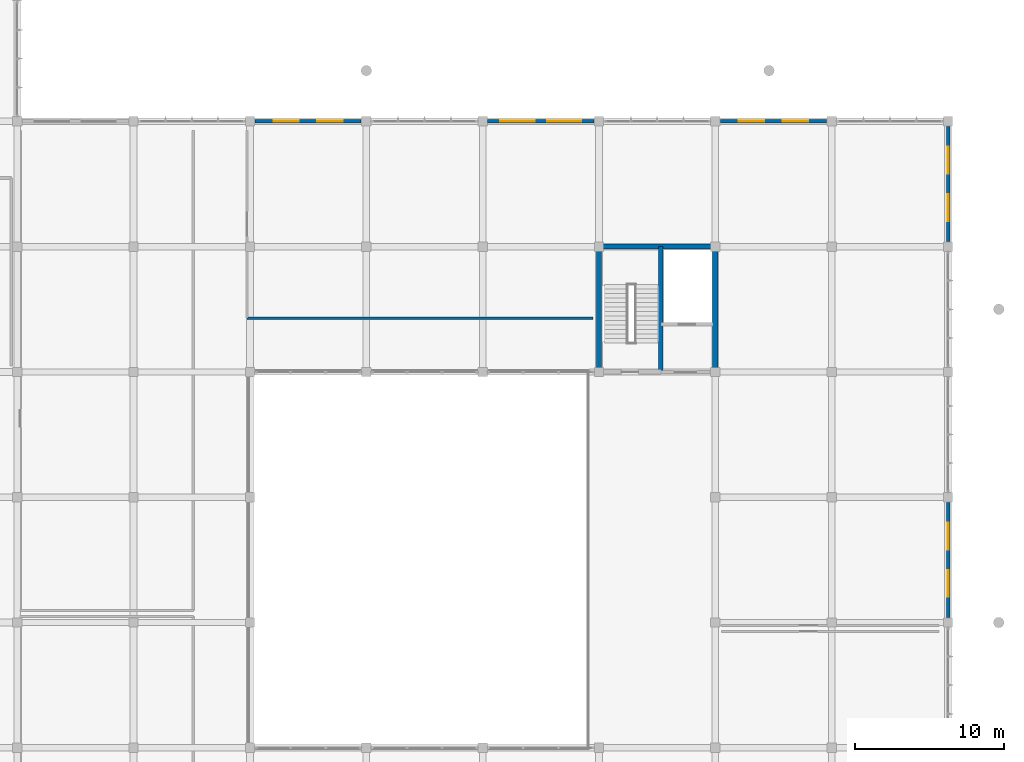
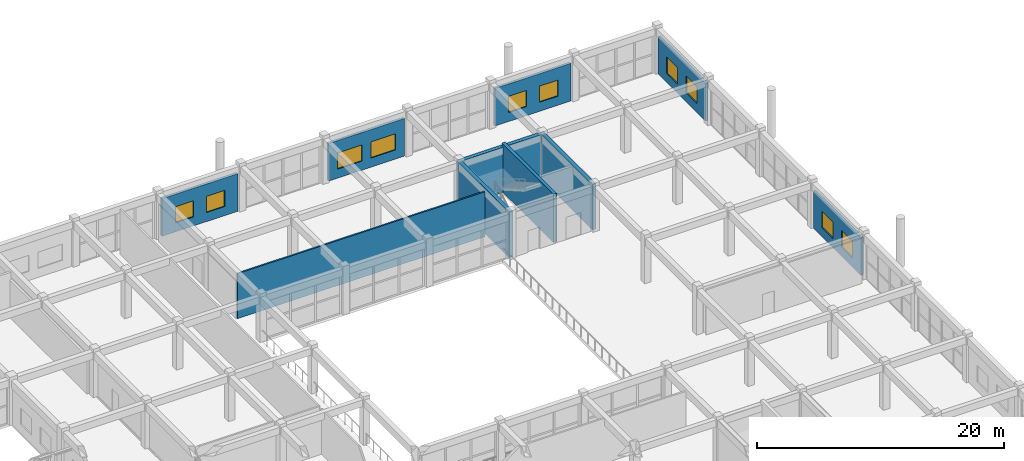
# One storey, part 158 of 167: 10 walls, 10 windows, 10 openings.
"""IFC4 building model written with IfcOpenShell, lengths in metres."""

import ifcopenshell
import ifcopenshell.guid

model = None  # the IFC model being written
_history = None  # IfcOwnerHistory: only IFC2X3 demands one
_inside = {}  # id of a spatial element -> (the spatial element, [elements in it])
_under = {}  # id of a project, library or spatial element -> (it, [spatial elements below it])
_declared = {}  # id of a project -> (the project, [libraries it declares])
_typed = {}  # id of a type object -> (the type object, [elements of that type])
_made_of = {}  # id of a material, layer set ... -> (it, [elements and type objects made of it])


def new_model(schema):
    """Start an empty IFC model of exactly this schema.

    Asked for "IFC4X3", IfcOpenShell would pick the latest addendum, in which some entities
    have other attributes; the version numbers below select the first issue.
    IFC2X3 requires an IfcOwnerHistory on every rooted entity: one is made here for all.
    """
    global model, _history
    if schema == "IFC4X3":
        model = ifcopenshell.file(schema_version=(4, 3, 0, 0))
    else:
        model = ifcopenshell.file(schema=schema)
    _inside.clear()
    _under.clear()
    _declared.clear()
    _typed.clear()
    _made_of.clear()
    _history = None
    if model.schema == "IFC2X3":
        org = make("IfcOrganization", Name="unknown")
        user = make(
            "IfcPersonAndOrganization",
            ThePerson=make("IfcPerson", FamilyName="unknown"),
            TheOrganization=org,
        )
        app = make(
            "IfcApplication",
            ApplicationDeveloper=org,
            Version="unknown",
            ApplicationFullName="unknown",
            ApplicationIdentifier="unknown",
        )
        _history = make(
            "IfcOwnerHistory",
            OwningUser=user,
            OwningApplication=app,
            ChangeAction="ADDED",
            CreationDate=0,
        )
    return model


def make(cls, **values):
    """One entity of the class cls with the attributes given. An attribute that is None is left unset."""
    return model.create_entity(
        cls, **{name: value for name, value in values.items() if value is not None}
    )


def rooted(cls, **values):
    """An entity with a GlobalId (a new one), such as an element, a storey or a relation."""
    return make(cls, GlobalId=ifcopenshell.guid.new(), OwnerHistory=_history, **values)


def si_unit(unit_type, name, prefix=None):
    """IfcSIUnit, for example si_unit("LENGTHUNIT", "METRE", prefix="MILLI")."""
    return make("IfcSIUnit", UnitType=unit_type, Prefix=prefix, Name=name)


def assignment(units):
    """IfcUnitAssignment: the units of a project."""
    return None if units is None else make("IfcUnitAssignment", Units=units)


def point(xyz):
    """IfcCartesianPoint."""
    return None if xyz is None else make("IfcCartesianPoint", Coordinates=xyz)


def direction(xyz):
    """IfcDirection."""
    return None if xyz is None else make("IfcDirection", DirectionRatios=xyz)


def frame(location, z_axis=None, x_axis=None):
    """IfcAxis2Placement3D, a coordinate frame: its origin and axes. An axis left out is left unset."""
    return make(
        "IfcAxis2Placement3D",
        Location=point(location),
        Axis=direction(z_axis),
        RefDirection=direction(x_axis),
    )


def frame_2d(location, x_axis=None):
    """IfcAxis2Placement2D, a coordinate frame in the plane: its origin and x axis."""
    return make(
        "IfcAxis2Placement2D", Location=point(location), RefDirection=direction(x_axis)
    )


def origin():
    """The frame at (0, 0, 0) with its axes left unset."""
    return frame((0.0, 0.0, 0.0))


def place(relative_to, where):
    """IfcLocalPlacement: puts the frame where relative to a parent placement (None: the world)."""
    return make(
        "IfcLocalPlacement", PlacementRelTo=relative_to, RelativePlacement=where
    )


def context(
    kind, dimensions, precision=None, world=None, true_north=None, identifier=None
):
    """IfcGeometricRepresentationContext, for example the 3D "Model" context."""
    return make(
        "IfcGeometricRepresentationContext",
        ContextIdentifier=identifier,
        ContextType=kind,
        CoordinateSpaceDimension=dimensions,
        Precision=precision,
        WorldCoordinateSystem=world,
        TrueNorth=true_north,
    )


def subcontext(parent, identifier, kind, view, scale=None):
    """IfcGeometricRepresentationSubContext, for example "Body" below "Model"."""
    return make(
        "IfcGeometricRepresentationSubContext",
        ContextIdentifier=identifier,
        ContextType=kind,
        ParentContext=parent,
        TargetScale=scale,
        TargetView=view,
    )


def project(units=None, contexts=None):
    """IfcProject with its units and contexts."""
    return rooted(
        "IfcProject",
        Name="project",
        RepresentationContexts=contexts,
        UnitsInContext=assignment(units),
    )


def spatial(cls, under=None, at=None, **own):
    """A site, building, storey or space (cls), placed at a placement, below another one or the project."""
    s = rooted(cls, ObjectPlacement=at, **own)
    if under is not None:
        _under.setdefault(under.id(), (under, []))[1].append(s)
    return s


def profile(cls, at=None, kind="AREA", **sizes):
    """A parametric profile (cls). Its sizes go by their IFC names, for example OverallWidth=200.0."""
    return make(cls, ProfileType=kind, Position=at, **sizes)


def rectangle(**sizes):
    """IfcRectangleProfileDef."""
    return profile("IfcRectangleProfileDef", **sizes)


def extrude(swept, where, along, depth):
    """IfcExtrudedAreaSolid: the profile swept, set in the frame where, extruded along a direction by depth."""
    return make(
        "IfcExtrudedAreaSolid",
        SweptArea=swept,
        Position=where,
        ExtrudedDirection=direction(along),
        Depth=depth,
    )


def shape(context_of_items, identifier, shape_type, items):
    """IfcShapeRepresentation: the items that make up one representation, for example the "Body"."""
    return make(
        "IfcShapeRepresentation",
        ContextOfItems=context_of_items,
        RepresentationIdentifier=identifier,
        RepresentationType=shape_type,
        Items=items,
    )


def material(Name=None, Category=None):
    """IfcMaterial."""
    return make("IfcMaterial", Name=Name, Category=Category)


def layer(
    of_material, thickness, ventilated=None, Name=None, Category=None, Priority=None
):
    """IfcMaterialLayer: one layer of a wall or slab, of a material (None: an air gap)."""
    return make(
        "IfcMaterialLayer",
        Material=of_material,
        LayerThickness=thickness,
        IsVentilated=ventilated,
        Name=Name,
        Category=Category,
        Priority=Priority,
    )


def layer_set(layers, Name=None):
    """IfcMaterialLayerSet."""
    return make("IfcMaterialLayerSet", MaterialLayers=layers, LayerSetName=Name)


def made_of(thing, what):
    """Note that an element or type object is made of a material, layer set ...; save() writes the relation."""
    if what is not None:
        _made_of.setdefault(what.id(), (what, []))[1].append(thing)
    return thing


def type_object(cls, material=None, **own):
    """A type object (cls), such as IfcWallType, which elements share."""
    return made_of(rooted(cls, **own), material)


def element(
    cls,
    number,
    at=None,
    inside=None,
    cuts=None,
    type_object=None,
    material=None,
    context=None,
    identifier="Body",
    shape_type=None,
    held_by="IfcProductDefinitionShape",
    body=None,
    shapes=None,
    **own,
):
    """One element of the class cls, such as IfcWall. Its Tag is "e" and its number.

    at: its placement. inside: the storey or other place that contains it. cuts: it is an
    opening in that element (IfcRelVoidsElement). A single representation is given by context,
    identifier, shape_type and body (its items); several are given by shapes. held_by: the class
    of the entity that holds the representations. save() writes the other relations.
    """
    e = rooted(cls, Tag="e%d" % number, ObjectPlacement=at, **own)
    if body is not None:
        shapes = [shape(context, identifier, shape_type, body)]
    if shapes is not None:
        e.Representation = make(held_by, Representations=shapes)
    if inside is not None:
        _inside.setdefault(inside.id(), (inside, []))[1].append(e)
    if cuts is not None:
        rooted(
            "IfcRelVoidsElement", RelatingBuildingElement=cuts, RelatedOpeningElement=e
        )
    if type_object is not None:
        _typed.setdefault(type_object.id(), (type_object, []))[1].append(e)
    return made_of(e, material)


def fill(opening, filler):
    """IfcRelFillsElement: the door or window that sits in an opening."""
    return rooted(
        "IfcRelFillsElement",
        RelatingOpeningElement=opening,
        RelatedBuildingElement=filler,
    )


def aggregate(whole, parts):
    """IfcRelAggregates: a whole, such as a stair, and the parts it consists of."""
    return rooted("IfcRelAggregates", RelatingObject=whole, RelatedObjects=parts)


def save(model, path):
    """Write the relations noted so far, then the file.

    IfcRelAggregates (storeys below a building ...), IfcRelContainedInSpatialStructure (elements
    in a storey), IfcRelDefinesByType, IfcRelAssociatesMaterial and IfcRelDeclares: one each for
    every whole, place, type object, material and project.
    """
    for whole, parts in _under.values():
        aggregate(whole, parts)
    for where, things in _inside.values():
        rooted(
            "IfcRelContainedInSpatialStructure",
            RelatedElements=things,
            RelatingStructure=where,
        )
    for kind, things in _typed.values():
        rooted("IfcRelDefinesByType", RelatedObjects=things, RelatingType=kind)
    for what, things in _made_of.values():
        rooted("IfcRelAssociatesMaterial", RelatedObjects=things, RelatingMaterial=what)
    for by, libraries in _declared.values():
        rooted("IfcRelDeclares", RelatingContext=by, RelatedDefinitions=libraries)
    model.write(path)


model = new_model("IFC4")

# Units and contexts
model_context = context("Model", 3, precision=1e-05, world=origin(), true_north=direction((0.0, 1.0)))
body_context = subcontext(model_context, "Body", "Model", "MODEL_VIEW")
ifc_project = project(units=[si_unit("LENGTHUNIT", "METRE"), si_unit("AREAUNIT", "SQUARE_METRE"), si_unit("VOLUMEUNIT", "CUBIC_METRE"), si_unit("PLANEANGLEUNIT", "RADIAN"), si_unit("MASSUNIT", "GRAM", prefix="KILO")], contexts=[model_context])

# Site, building, storey
site_placement = place(None, origin())
site = spatial("IfcSite", under=ifc_project, at=site_placement, CompositionType="ELEMENT")
building_placement = place(site_placement, origin())
building = spatial("IfcBuilding", under=site, at=building_placement, Name="Zizhar Promenade General Hospital", CompositionType="ELEMENT")
storey_placement = place(building_placement, frame((0.0, 0.0, 9.60009765625)))
storey = spatial("IfcBuildingStorey", under=building, at=storey_placement, Name="L02", CompositionType="ELEMENT", Elevation=9.60009765625)

# Wall, openings, windows
ifc_material_1 = material(Name="Precast concrete C40/50", Category="concrete")
ifc_layer_1 = layer(ifc_material_1, 0.235107421875)
ifc_layer_set_1 = layer_set([ifc_layer_1], Name="Precast concrete C40/50")
wall_type_1 = type_object("IfcWallType", Name="EW-CLN-235", PredefinedType="STANDARD", material=ifc_layer_set_1)
wall_1_placement = place(storey_placement, frame((148.5400390625, 109.199951171875, 0.0), z_axis=(0.0, 0.0, 1.0), x_axis=(1.0, 0.0, 0.0)))
wall_1 = element("IfcWall", 1, at=wall_1_placement, inside=storey, type_object=wall_type_1, Name="Outpatient North Wall L02-19", PredefinedType="STANDARD", context=body_context, shape_type="SweptSolid", body=[
    extrude(rectangle(XDim=7.119873046875, YDim=0.235107421875, at=frame_2d((3.56005859375, 0.0))), origin(), (0.0, 0.0, 1.0), 3.72998046875),
])
opening_1_placement = place(wall_1_placement, frame((1.239990234375, 0.0, 0.89990234375)))
opening_1 = element("IfcOpeningElement", 2, at=opening_1_placement, cuts=wall_1, Name="Opening W-22", PredefinedType="OPENING", context=body_context, shape_type="SweptSolid", body=[
    extrude(rectangle(XDim=1.699951171875, YDim=1.60009765625, at=frame_2d((0.85009765625, 0.800048828125))), frame((0.0, 0.12744140625, 0.0), z_axis=(0.0, -1.0, 0.0), x_axis=(1.0, 0.0, 0.0)), (0.0, 0.0, 1.0), 0.255126953125),
])
opening_2_placement = place(wall_1_placement, frame((4.179931640625, 0.0, 0.89990234375)))
opening_2 = element("IfcOpeningElement", 3, at=opening_2_placement, cuts=wall_1, Name="Opening W-22", PredefinedType="OPENING", context=body_context, shape_type="SweptSolid", body=[
    extrude(rectangle(XDim=1.699951171875, YDim=1.60009765625, at=frame_2d((0.85009765625, 0.800048828125))), frame((0.0, 0.12744140625, 0.0), z_axis=(0.0, -1.0, 0.0), x_axis=(1.0, 0.0, 0.0)), (0.0, 0.0, 1.0), 0.255126953125),
])
ifc_material_2 = material(Name="Anodised aluminium 6063-T6 and low-E glass", Category="aluminium")
window_type_1 = type_object("IfcWindowType", Name="WIN-CLN-170x160", PartitioningType="SINGLE_PANEL", PredefinedType="WINDOW", material=ifc_material_2)
window_1_placement = place(opening_1_placement, origin())
window_1 = element("IfcWindow", 4, at=window_1_placement, inside=storey, type_object=window_type_1, Name="Outpatient North Wall L02-19 Window 1", OverallHeight=1.60009765625, OverallWidth=1.699951171875, PartitioningType="SINGLE_PANEL", PredefinedType="WINDOW", context=body_context, shape_type="SweptSolid", body=[
    extrude(rectangle(XDim=1.699951171875, YDim=1.60009765625, at=frame_2d((0.85009765625, 0.800048828125))), frame((0.0, 0.030029296875, 0.0), z_axis=(0.0, -1.0, 0.0), x_axis=(1.0, 0.0, 0.0)), (0.0, 0.0, 1.0), 0.06005859375),
])
fill(opening_1, window_1)
window_2_placement = place(opening_2_placement, origin())
window_2 = element("IfcWindow", 5, at=window_2_placement, inside=storey, type_object=window_type_1, Name="Outpatient North Wall L02-19 Window 2", OverallHeight=1.60009765625, OverallWidth=1.699951171875, PartitioningType="SINGLE_PANEL", PredefinedType="WINDOW", context=body_context, shape_type="SweptSolid", body=[
    extrude(rectangle(XDim=1.699951171875, YDim=1.60009765625, at=frame_2d((0.85009765625, 0.800048828125))), frame((0.0, 0.030029296875, 0.0), z_axis=(0.0, -1.0, 0.0), x_axis=(1.0, 0.0, 0.0)), (0.0, 0.0, 1.0), 0.06005859375),
])
fill(opening_2, window_2)

wall_2_placement = place(storey_placement, frame((164.139892578125, 109.199951171875, 0.0), z_axis=(0.0, 0.0, 1.0), x_axis=(1.0, 0.0, 0.0)))
wall_2 = element("IfcWall", 6, at=wall_2_placement, inside=storey, type_object=wall_type_1, Name="Outpatient North Wall L02-21", PredefinedType="STANDARD", context=body_context, shape_type="SweptSolid", body=[
    extrude(rectangle(XDim=7.1201171875, YDim=0.235107421875, at=frame_2d((3.56005859375, 0.0))), origin(), (0.0, 0.0, 1.0), 3.72998046875),
])
opening_3_placement = place(wall_2_placement, frame((0.840087890625, 0.0, 0.89990234375)))
opening_3 = element("IfcOpeningElement", 7, at=opening_3_placement, cuts=wall_2, Name="Opening W-20", PredefinedType="OPENING", context=body_context, shape_type="SweptSolid", body=[
    extrude(rectangle(XDim=2.300048828125, YDim=1.60009765625, at=frame_2d((1.14990234375, 0.800048828125))), frame((0.0, 0.12744140625, 0.0), z_axis=(0.0, -1.0, 0.0), x_axis=(1.0, 0.0, 0.0)), (0.0, 0.0, 1.0), 0.255126953125),
])
opening_4_placement = place(wall_2_placement, frame((3.97998046875, 0.0, 0.89990234375)))
opening_4 = element("IfcOpeningElement", 8, at=opening_4_placement, cuts=wall_2, Name="Opening W-20", PredefinedType="OPENING", context=body_context, shape_type="SweptSolid", body=[
    extrude(rectangle(XDim=2.300048828125, YDim=1.60009765625, at=frame_2d((1.14990234375, 0.800048828125))), frame((0.0, 0.12744140625, 0.0), z_axis=(0.0, -1.0, 0.0), x_axis=(1.0, 0.0, 0.0)), (0.0, 0.0, 1.0), 0.255126953125),
])
ifc_material_3 = material(Name="Anodised aluminium 6063-T6 and low-E glass", Category="aluminium")
window_type_2 = type_object("IfcWindowType", Name="WIN-CLN-230x160", PartitioningType="DOUBLE_PANEL_VERTICAL", PredefinedType="WINDOW", material=ifc_material_3)
window_3_placement = place(opening_3_placement, origin())
window_3 = element("IfcWindow", 9, at=window_3_placement, inside=storey, type_object=window_type_2, Name="Outpatient North Wall L02-21 Window 1", OverallHeight=1.60009765625, OverallWidth=2.300048828125, PartitioningType="SINGLE_PANEL", PredefinedType="WINDOW", context=body_context, shape_type="SweptSolid", body=[
    extrude(rectangle(XDim=2.300048828125, YDim=1.60009765625, at=frame_2d((1.14990234375, 0.800048828125))), frame((0.0, 0.030029296875, 0.0), z_axis=(0.0, -1.0, 0.0), x_axis=(1.0, 0.0, 0.0)), (0.0, 0.0, 1.0), 0.06005859375),
])
fill(opening_3, window_3)
window_4_placement = place(opening_4_placement, origin())
window_4 = element("IfcWindow", 10, at=window_4_placement, inside=storey, type_object=window_type_2, Name="Outpatient North Wall L02-21 Window 2", OverallHeight=1.60009765625, OverallWidth=2.300048828125, PartitioningType="SINGLE_PANEL", PredefinedType="WINDOW", context=body_context, shape_type="SweptSolid", body=[
    extrude(rectangle(XDim=2.300048828125, YDim=1.60009765625, at=frame_2d((1.14990234375, 0.800048828125))), frame((0.0, 0.030029296875, 0.0), z_axis=(0.0, -1.0, 0.0), x_axis=(1.0, 0.0, 0.0)), (0.0, 0.0, 1.0), 0.06005859375),
])
fill(opening_4, window_4)

wall_3_placement = place(storey_placement, frame((179.739990234375, 109.199951171875, 0.0), z_axis=(0.0, 0.0, 1.0), x_axis=(1.0, 0.0, 0.0)))
wall_3 = element("IfcWall", 11, at=wall_3_placement, inside=storey, type_object=wall_type_1, Name="Outpatient North Wall L02-23", PredefinedType="STANDARD", context=body_context, shape_type="SweptSolid", body=[
    extrude(rectangle(XDim=7.1201171875, YDim=0.235107421875, at=frame_2d((3.56005859375, 0.0))), origin(), (0.0, 0.0, 1.0), 3.72998046875),
])
opening_5_placement = place(wall_3_placement, frame((1.239990234375, 0.0, 0.89990234375)))
opening_5 = element("IfcOpeningElement", 12, at=opening_5_placement, cuts=wall_3, Name="Opening W-22", PredefinedType="OPENING", context=body_context, shape_type="SweptSolid", body=[
    extrude(rectangle(XDim=1.699951171875, YDim=1.60009765625, at=frame_2d((0.85009765625, 0.800048828125))), frame((0.0, 0.12744140625, 0.0), z_axis=(0.0, -1.0, 0.0), x_axis=(1.0, 0.0, 0.0)), (0.0, 0.0, 1.0), 0.255126953125),
])
opening_6_placement = place(wall_3_placement, frame((4.179931640625, 0.0, 0.89990234375)))
opening_6 = element("IfcOpeningElement", 13, at=opening_6_placement, cuts=wall_3, Name="Opening W-22", PredefinedType="OPENING", context=body_context, shape_type="SweptSolid", body=[
    extrude(rectangle(XDim=1.699951171875, YDim=1.60009765625, at=frame_2d((0.85009765625, 0.800048828125))), frame((0.0, 0.12744140625, 0.0), z_axis=(0.0, -1.0, 0.0), x_axis=(1.0, 0.0, 0.0)), (0.0, 0.0, 1.0), 0.255126953125),
])
window_5_placement = place(opening_5_placement, origin())
window_5 = element("IfcWindow", 14, at=window_5_placement, inside=storey, type_object=window_type_1, Name="Outpatient North Wall L02-23 Window 1", OverallHeight=1.60009765625, OverallWidth=1.699951171875, PartitioningType="SINGLE_PANEL", PredefinedType="WINDOW", context=body_context, shape_type="SweptSolid", body=[
    extrude(rectangle(XDim=1.699951171875, YDim=1.60009765625, at=frame_2d((0.85009765625, 0.800048828125))), frame((0.0, 0.030029296875, 0.0), z_axis=(0.0, -1.0, 0.0), x_axis=(1.0, 0.0, 0.0)), (0.0, 0.0, 1.0), 0.06005859375),
])
fill(opening_5, window_5)
window_6_placement = place(opening_6_placement, origin())
window_6 = element("IfcWindow", 15, at=window_6_placement, inside=storey, type_object=window_type_1, Name="Outpatient North Wall L02-23 Window 2", OverallHeight=1.60009765625, OverallWidth=1.699951171875, PartitioningType="SINGLE_PANEL", PredefinedType="WINDOW", context=body_context, shape_type="SweptSolid", body=[
    extrude(rectangle(XDim=1.699951171875, YDim=1.60009765625, at=frame_2d((0.85009765625, 0.800048828125))), frame((0.0, 0.030029296875, 0.0), z_axis=(0.0, -1.0, 0.0), x_axis=(1.0, 0.0, 0.0)), (0.0, 0.0, 1.0), 0.06005859375),
])
fill(opening_6, window_6)

wall_4_placement = place(storey_placement, frame((195.0, 83.659912109375, 0.0), z_axis=(0.0, 0.0, 1.0), x_axis=(0.0, -1.0, 0.0)))
wall_4 = element("IfcWall", 16, at=wall_4_placement, inside=storey, type_object=wall_type_1, Name="Outpatient East Wall L02-9", PredefinedType="STANDARD", context=body_context, shape_type="SweptSolid", body=[
    extrude(rectangle(XDim=7.719970703125, YDim=0.235107421875, at=frame_2d((3.85986328125, 0.0))), origin(), (0.0, 0.0, 1.0), 3.71484375),
])
opening_7_placement = place(wall_4_placement, frame((1.373291015625, 0.0, 0.89990234375)))
opening_7 = element("IfcOpeningElement", 17, at=opening_7_placement, cuts=wall_4, Name="Opening W-08", PredefinedType="OPENING", context=body_context, shape_type="SweptSolid", body=[
    extrude(rectangle(XDim=1.800048828125, YDim=1.64990234375, at=frame_2d((0.89990234375, 0.824951171875))), frame((0.0, 0.12744140625, 0.0), z_axis=(0.0, -1.0, 0.0), x_axis=(1.0, 0.0, 0.0)), (0.0, 0.0, 1.0), 0.255126953125),
])
opening_8_placement = place(wall_4_placement, frame((4.546630859375, 0.0, 0.89990234375)))
opening_8 = element("IfcOpeningElement", 18, at=opening_8_placement, cuts=wall_4, Name="Opening W-08", PredefinedType="OPENING", context=body_context, shape_type="SweptSolid", body=[
    extrude(rectangle(XDim=1.800048828125, YDim=1.64990234375, at=frame_2d((0.89990234375, 0.824951171875))), frame((0.0, 0.12744140625, 0.0), z_axis=(0.0, -1.0, 0.0), x_axis=(1.0, 0.0, 0.0)), (0.0, 0.0, 1.0), 0.255126953125),
])
ifc_material_4 = material(Name="Anodised aluminium 6063-T6 and low-E glass", Category="aluminium")
window_type_3 = type_object("IfcWindowType", Name="WIN-CLN-180x165", PartitioningType="DOUBLE_PANEL_VERTICAL", PredefinedType="WINDOW", material=ifc_material_4)
window_7_placement = place(opening_7_placement, origin())
window_7 = element("IfcWindow", 19, at=window_7_placement, inside=storey, type_object=window_type_3, Name="Outpatient East Wall L02-9 Window 1", OverallHeight=1.64990234375, OverallWidth=1.800048828125, PartitioningType="SINGLE_PANEL", PredefinedType="WINDOW", context=body_context, shape_type="SweptSolid", body=[
    extrude(rectangle(XDim=1.800048828125, YDim=1.64990234375, at=frame_2d((0.89990234375, 0.824951171875))), frame((0.0, 0.030029296875, 0.0), z_axis=(0.0, -1.0, 0.0), x_axis=(1.0, 0.0, 0.0)), (0.0, 0.0, 1.0), 0.06005859375),
])
fill(opening_7, window_7)
window_8_placement = place(opening_8_placement, origin())
window_8 = element("IfcWindow", 20, at=window_8_placement, inside=storey, type_object=window_type_3, Name="Outpatient East Wall L02-9 Window 2", OverallHeight=1.64990234375, OverallWidth=1.800048828125, PartitioningType="SINGLE_PANEL", PredefinedType="WINDOW", context=body_context, shape_type="SweptSolid", body=[
    extrude(rectangle(XDim=1.800048828125, YDim=1.64990234375, at=frame_2d((0.89990234375, 0.824951171875))), frame((0.0, 0.030029296875, 0.0), z_axis=(0.0, -1.0, 0.0), x_axis=(1.0, 0.0, 0.0)), (0.0, 0.0, 1.0), 0.06005859375),
])
fill(opening_8, window_8)

wall_5_placement = place(storey_placement, frame((195.0, 108.860107421875, 0.0), z_axis=(0.0, 0.0, 1.0), x_axis=(0.0, -1.0, 0.0)))
wall_5 = element("IfcWall", 21, at=wall_5_placement, inside=storey, type_object=wall_type_1, Name="Outpatient East Wall L02-12", PredefinedType="STANDARD", context=body_context, shape_type="SweptSolid", body=[
    extrude(rectangle(XDim=7.72021484375, YDim=0.235107421875, at=frame_2d((3.860107421875, 0.0))), origin(), (0.0, 0.0, 1.0), 3.71484375),
])
opening_9_placement = place(wall_5_placement, frame((1.373291015625, 0.0, 0.89990234375)))
opening_9 = element("IfcOpeningElement", 22, at=opening_9_placement, cuts=wall_5, Name="Opening W-08", PredefinedType="OPENING", context=body_context, shape_type="SweptSolid", body=[
    extrude(rectangle(XDim=1.800048828125, YDim=1.64990234375, at=frame_2d((0.89990234375, 0.824951171875))), frame((0.0, 0.12744140625, 0.0), z_axis=(0.0, -1.0, 0.0), x_axis=(1.0, 0.0, 0.0)), (0.0, 0.0, 1.0), 0.255126953125),
])
opening_10_placement = place(wall_5_placement, frame((4.546630859375, 0.0, 0.89990234375)))
opening_10 = element("IfcOpeningElement", 23, at=opening_10_placement, cuts=wall_5, Name="Opening W-08", PredefinedType="OPENING", context=body_context, shape_type="SweptSolid", body=[
    extrude(rectangle(XDim=1.800048828125, YDim=1.64990234375, at=frame_2d((0.89990234375, 0.824951171875))), frame((0.0, 0.12744140625, 0.0), z_axis=(0.0, -1.0, 0.0), x_axis=(1.0, 0.0, 0.0)), (0.0, 0.0, 1.0), 0.255126953125),
])
window_9_placement = place(opening_9_placement, origin())
window_9 = element("IfcWindow", 24, at=window_9_placement, inside=storey, type_object=window_type_3, Name="Outpatient East Wall L02-12 Window 1", OverallHeight=1.64990234375, OverallWidth=1.800048828125, PartitioningType="SINGLE_PANEL", PredefinedType="WINDOW", context=body_context, shape_type="SweptSolid", body=[
    extrude(rectangle(XDim=1.800048828125, YDim=1.64990234375, at=frame_2d((0.89990234375, 0.824951171875))), frame((0.0, 0.030029296875, 0.0), z_axis=(0.0, -1.0, 0.0), x_axis=(1.0, 0.0, 0.0)), (0.0, 0.0, 1.0), 0.06005859375),
])
fill(opening_9, window_9)
window_10_placement = place(opening_10_placement, origin())
window_10 = element("IfcWindow", 25, at=window_10_placement, inside=storey, type_object=window_type_3, Name="Outpatient East Wall L02-12 Window 2", OverallHeight=1.64990234375, OverallWidth=1.800048828125, PartitioningType="SINGLE_PANEL", PredefinedType="WINDOW", context=body_context, shape_type="SweptSolid", body=[
    extrude(rectangle(XDim=1.800048828125, YDim=1.64990234375, at=frame_2d((0.89990234375, 0.824951171875))), frame((0.0, 0.030029296875, 0.0), z_axis=(0.0, -1.0, 0.0), x_axis=(1.0, 0.0, 0.0)), (0.0, 0.0, 1.0), 0.06005859375),
])
fill(opening_10, window_10)

# Walls
ifc_material_5 = material(Name="Clinical consultation partition")
ifc_layer_2 = layer(ifc_material_5, 0.14501953125)
ifc_layer_set_2 = layer_set([ifc_layer_2], Name="Clinical consultation partition")
wall_type_2 = type_object("IfcWallType", Name="IW-CLN-145", PredefinedType="PARTITIONING", material=ifc_layer_set_2)
wall_6_placement = place(storey_placement, frame((148.0, 96.0, 0.0), z_axis=(0.0, 0.0, 1.0), x_axis=(1.0, 0.0, 0.0)))
element("IfcWall", 26, at=wall_6_placement, inside=storey, type_object=wall_type_2, Name="Accessible Clinic Waiting and Lounge L02 S Partition", PredefinedType="PARTITIONING", context=body_context, shape_type="SweptSolid", body=[
    extrude(rectangle(XDim=23.199951171875, YDim=0.14501953125, at=frame_2d((11.60009765625, 0.0))), origin(), (0.0, 0.0, 1.0), 4.4599609375),
])
ifc_material_6 = material(Name="Concrete C40/50", Category="concrete")
ifc_layer_3 = layer(ifc_material_6, 0.300048828125)
ifc_layer_set_3 = layer_set([ifc_layer_3], Name="Concrete C40/50")
wall_type_3 = type_object("IfcWallType", Name="WL-CORE-300", PredefinedType="SHEAR", material=ifc_layer_set_3)
wall_7_placement = place(storey_placement, frame((175.75, 92.39990234375, 0.0), z_axis=(0.0, 0.0, 1.0), x_axis=(0.0, 1.0, 0.0)))
element("IfcWall", 27, at=wall_7_placement, inside=storey, type_object=wall_type_3, Name="Core C8 Stair-Shaft Separation Wall (L02)", PredefinedType="SHEAR", context=body_context, shape_type="SweptSolid", body=[
    extrude(rectangle(XDim=8.400146484375, YDim=0.300048828125, at=frame_2d((4.2001953125, 0.0))), origin(), (0.0, 0.0, 1.0), 4.7998046875),
])
ifc_material_7 = material(Name="Concrete C40/50", Category="concrete")
ifc_layer_4 = layer(ifc_material_7, 0.35009765625)
ifc_layer_set_4 = layer_set([ifc_layer_4], Name="Concrete C40/50")
wall_type_4 = type_object("IfcWallType", Name="WL-CORE-350", PredefinedType="SHEAR", material=ifc_layer_set_4)
wall_8_placement = place(storey_placement, frame((171.425048828125, 100.800048828125, 0.0), z_axis=(0.0, 0.0, 1.0), x_axis=(1.0, 0.0, 0.0)))
element("IfcWall", 28, at=wall_8_placement, inside=storey, type_object=wall_type_4, Name="Core C8 North Shear Wall L02", PredefinedType="SHEAR", context=body_context, shape_type="SweptSolid", body=[
    extrude(rectangle(XDim=8.14990234375, YDim=0.35009765625, at=frame_2d((4.074951171875, 0.0))), origin(), (0.0, 0.0, 1.0), 4.47998046875),
])
for number, where, z_axis, x_axis, name in (
    (29, (171.60009765625, 92.39990234375, 0.0), (0.0, 0.0, 1.0), (0.0, 1.0, 0.0), "Core C8 West Shear Wall L02"),
    (30, (179.39990234375, 92.39990234375, 0.0), (0.0, 0.0, 1.0), (0.0, 1.0, 0.0), "Core C8 East Shear Wall L02"),
):
    element("IfcWall", number, at=place(storey_placement, frame(where, z_axis=z_axis, x_axis=x_axis)), inside=storey, type_object=wall_type_4, Name=name, PredefinedType="SHEAR", context=body_context, shape_type="SweptSolid", body=[
        extrude(rectangle(XDim=8.400146484375, YDim=0.35009765625, at=frame_2d((4.2001953125, 0.0))), origin(), (0.0, 0.0, 1.0), 4.47998046875),
    ])

save(model, "model.ifc")
